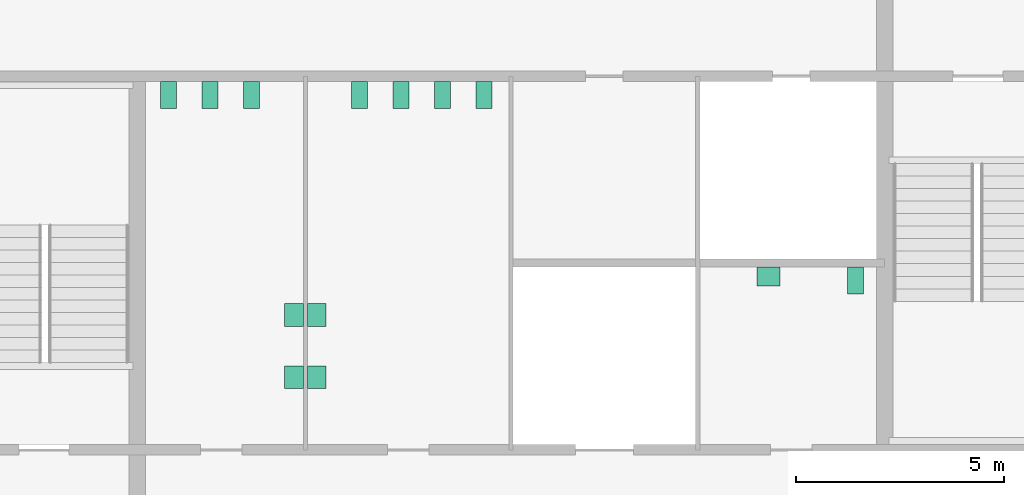
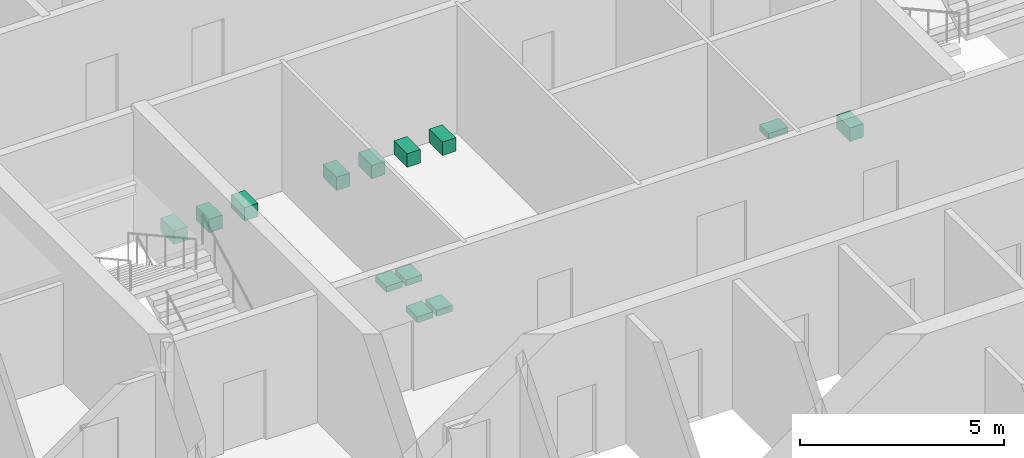
# One storey, part 13 of 13: 13 sanitary terminals.
"""IFC4 building model written with IfcOpenShell, lengths in metres."""

from ifc_helpers import new_model, si_unit, direction, frame, origin, origin_2d, place, context, subcontext, project, spatial, rectangle, extrude, material, type_object, element, save


model = new_model("IFC4")

# Units and contexts
model_context = context("Model", 3, precision=1e-05, world=origin(), true_north=direction((0.0, 1.0)))
body_context = subcontext(model_context, "Body", "Model", "MODEL_VIEW")
ifc_project = project(units=[si_unit("LENGTHUNIT", "METRE"), si_unit("AREAUNIT", "SQUARE_METRE"), si_unit("VOLUMEUNIT", "CUBIC_METRE"), si_unit("PLANEANGLEUNIT", "RADIAN"), si_unit("MASSUNIT", "GRAM", prefix="KILO")], contexts=[model_context])

# Site, building, storey
site_placement = place(None, origin())
site = spatial("IfcSite", under=ifc_project, at=site_placement, CompositionType="ELEMENT")
building_placement = place(site_placement, origin())
building = spatial("IfcBuilding", under=site, at=building_placement, Name="Corais Broadcast Tower", CompositionType="ELEMENT")
storey_placement = place(building_placement, frame((0.0, 0.0, 167.60009765625)))
storey = spatial("IfcBuildingStorey", under=building, at=storey_placement, Name="L38", CompositionType="ELEMENT", Elevation=167.60009765625)

# Sanitary terminals
ifc_material_1 = material(Name="Vitreous china", Category="ceramic")
sanitary_terminal_type_1 = type_object("IfcSanitaryTerminalType", Name="WC pan 380x650", PredefinedType="TOILETPAN", material=ifc_material_1)
for number, where, z_axis, x_axis, name in (
    (1, (18.75, 31.050048828125, 0.0), (0.0, 0.0, 1.0), (1.0, 0.0, 0.0), "SW1 WC pan, male toilets L38"),
    (2, (19.75, 31.050048828125, 0.0), (0.0, 0.0, 1.0), (1.0, 0.0, 0.0), "SW1 WC pan, male toilets L38"),
    (3, (20.75, 31.050048828125, 0.0), (0.0, 0.0, 1.0), (1.0, 0.0, 0.0), "SW1 WC pan, male toilets L38"),
    (4, (23.35009765625, 31.050048828125, 0.0), (0.0, 0.0, 1.0), (1.0, 0.0, 0.0), "SW1 WC pan, female toilets L38"),
    (5, (24.35009765625, 31.050048828125, 0.0), (0.0, 0.0, 1.0), (1.0, 0.0, 0.0), "SW1 WC pan, female toilets L38"),
    (6, (25.35009765625, 31.050048828125, 0.0), (0.0, 0.0, 1.0), (1.0, 0.0, 0.0), "SW1 WC pan, female toilets L38"),
    (7, (26.35009765625, 31.050048828125, 0.0), (0.0, 0.0, 1.0), (1.0, 0.0, 0.0), "SW1 WC pan, female toilets L38"),
    (8, (35.300048828125, 26.574951171875, 0.0), (0.0, 0.0, 1.0), (1.0, 0.0, 0.0), "SW1 WC pan, accessible WC L38"),
):
    element("IfcSanitaryTerminal", number, at=place(storey_placement, frame(where, z_axis=z_axis, x_axis=x_axis)), inside=storey, type_object=sanitary_terminal_type_1, Name=name, PredefinedType="TOILETPAN", context=body_context, shape_type="SweptSolid", body=[
        extrude(rectangle(XDim=0.3798828125, YDim=0.64990234375, at=origin_2d()), origin(), (0.0, 0.0, 1.0), 0.39990234375),
    ])
ifc_material_2 = material(Name="Vitreous china", Category="ceramic")
sanitary_terminal_type_2 = type_object("IfcSanitaryTerminalType", Name="Wash basin 550x450", PredefinedType="WASHHANDBASIN", material=ifc_material_2)
for number, where, z_axis, x_axis, name in (
    (9, (21.77490234375, 24.25, 0.69970703125), (0.0, 0.0, 1.0), (1.0, 0.0, 0.0), "WB1 wash basin, male toilets L38"),
    (10, (21.77490234375, 25.75, 0.69970703125), (0.0, 0.0, 1.0), (1.0, 0.0, 0.0), "WB1 wash basin, male toilets L38"),
    (11, (22.324951171875, 24.25, 0.69970703125), (0.0, 0.0, 1.0), (1.0, 0.0, 0.0), "WB1 wash basin, female toilets L38"),
    (12, (22.324951171875, 25.75, 0.69970703125), (0.0, 0.0, 1.0), (1.0, 0.0, 0.0), "WB1 wash basin, female toilets L38"),
):
    element("IfcSanitaryTerminal", number, at=place(storey_placement, frame(where, z_axis=z_axis, x_axis=x_axis)), inside=storey, type_object=sanitary_terminal_type_2, Name=name, PredefinedType="WASHHANDBASIN", context=body_context, shape_type="SweptSolid", body=[
        extrude(rectangle(XDim=0.449951171875, YDim=0.550048828125, at=origin_2d()), origin(), (0.0, 0.0, 1.0), 0.179931640625),
    ])
sanitary_terminal_placement = place(storey_placement, frame((33.199951171875, 26.675048828125, 0.69970703125), z_axis=(0.0, 0.0, 1.0), x_axis=(1.0, 0.0, 0.0)))
element("IfcSanitaryTerminal", 13, at=sanitary_terminal_placement, inside=storey, type_object=sanitary_terminal_type_2, Name="WB1 wash basin, accessible WC L38", PredefinedType="WASHHANDBASIN", context=body_context, shape_type="SweptSolid", body=[
    extrude(rectangle(XDim=0.550048828125, YDim=0.449951171875, at=origin_2d()), origin(), (0.0, 0.0, 1.0), 0.179931640625),
])

save(model, "model.ifc")
